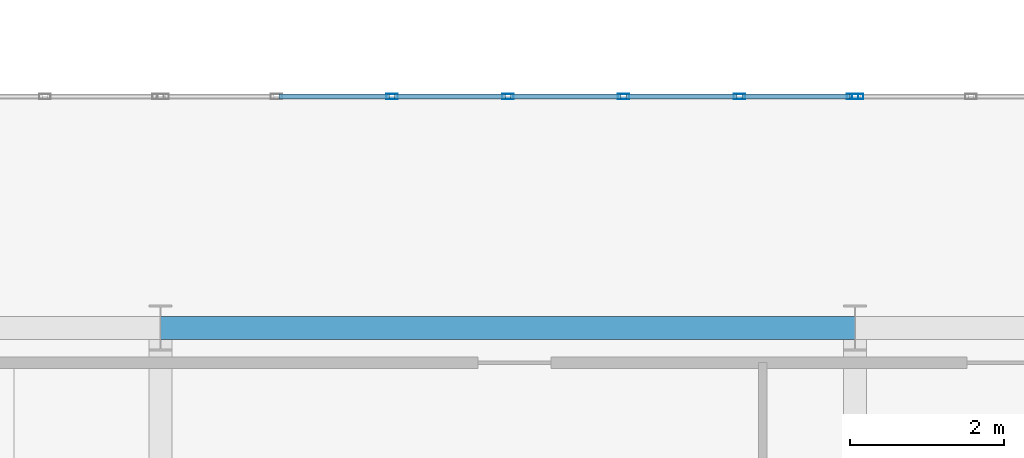
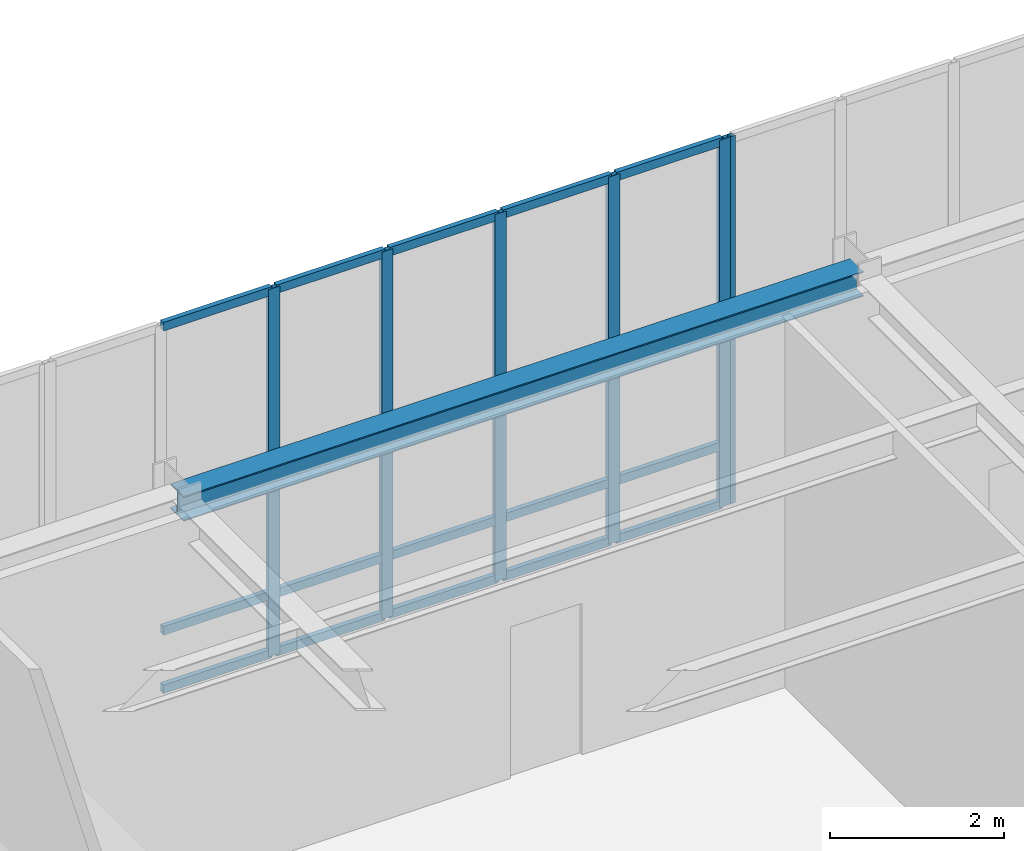
# One storey, part 20 of 77: 21 members, 1 beam, 2 elements without a shape of their own.
"""IFC4 building model written with IfcOpenShell, lengths in metres."""

from ifc_helpers import new_model, si_unit, direction, frame, origin, origin_2d, place, context, subcontext, project, spatial, hollow_rectangle, i_section, extrude, material, material_profile, profile_set, type_object, element, aggregate, save


model = new_model("IFC4")

# Units and contexts
model_context = context("Model", 3, precision=1e-05, world=origin(), true_north=direction((0.0, 1.0)))
body_context = subcontext(model_context, "Body", "Model", "MODEL_VIEW")
ifc_project = project(units=[si_unit("LENGTHUNIT", "METRE"), si_unit("AREAUNIT", "SQUARE_METRE"), si_unit("VOLUMEUNIT", "CUBIC_METRE"), si_unit("PLANEANGLEUNIT", "RADIAN"), si_unit("MASSUNIT", "GRAM", prefix="KILO")], contexts=[model_context])

# Site, building, storey
site_placement = place(None, origin())
site = spatial("IfcSite", under=ifc_project, at=site_placement, CompositionType="ELEMENT")
building_placement = place(site_placement, origin())
building = spatial("IfcBuilding", under=site, at=building_placement, Name="Lykobir Media Centre", CompositionType="ELEMENT")
storey_placement = place(building_placement, origin())
storey = spatial("IfcBuildingStorey", under=building, at=storey_placement, Name="L00", CompositionType="ELEMENT", Elevation=0.0)

# Curtain wall, members
ifc_material_1 = material(Name="Anodized Aluminium AW-6060", Category="aluminium")
curtain_wall_type = type_object("IfcCurtainWallType", Name="CW-COURT-A", PredefinedType="NOTDEFINED", material=ifc_material_1)
curtain_wall_1_placement = place(storey_placement, origin())
curtain_wall_1 = element("IfcCurtainWall", 1, at=curtain_wall_1_placement, inside=storey, type_object=curtain_wall_type, Name="Curtain wall CW2-L00-0012", PredefinedType="NOTDEFINED")
ifc_material_profile_1 = material_profile(ifc_material_1, hollow_rectangle(XDim=0.06494140625, YDim=0.14990234375, WallThickness=0.00341796875, at=origin_2d()), Name="ALU MULLION 65x150")
ifc_profile_set_1 = profile_set([ifc_material_profile_1], Name="Anodized Aluminium AW-6060")
member_type_1 = type_object("IfcMemberType", Name="CWM-150", PredefinedType="MULLION", material=ifc_profile_set_1)
member_1_placement = place(storey_placement, frame((57.0, 21.0, 0.0), z_axis=(0.0, 0.0, 1.0), x_axis=(0.0, 1.0, 0.0)))
member_1 = element("IfcMember", 2, at=member_1_placement, type_object=member_type_1, Name="CW2-L00-0012 mullion 3", PredefinedType="MULLION", context=body_context, shape_type="SweptSolid", body=[
    extrude(hollow_rectangle(XDim=0.06494140625, YDim=0.14990234375, WallThickness=0.00341796875, at=origin_2d()), origin(), (0.0, 0.0, 1.0), 5.139892578125),
])
member_2_placement = place(storey_placement, frame((58.5, 21.0, 0.0), z_axis=(0.0, 0.0, 1.0), x_axis=(0.0, 1.0, 0.0)))
member_2 = element("IfcMember", 3, at=member_2_placement, type_object=member_type_1, Name="CW2-L00-0012 mullion 4", PredefinedType="MULLION", context=body_context, shape_type="SweptSolid", body=[
    extrude(hollow_rectangle(XDim=0.06494140625, YDim=0.14990234375, WallThickness=0.00341796875, at=origin_2d()), origin(), (0.0, 0.0, 1.0), 5.139892578125),
])
member_3_placement = place(storey_placement, frame((60.0, 21.0, 0.0), z_axis=(0.0, 0.0, 1.0), x_axis=(0.0, 1.0, 0.0)))
member_3 = element("IfcMember", 4, at=member_3_placement, type_object=member_type_1, Name="CW2-L00-0012 mullion 5", PredefinedType="MULLION", context=body_context, shape_type="SweptSolid", body=[
    extrude(hollow_rectangle(XDim=0.06494140625, YDim=0.14990234375, WallThickness=0.00341796875, at=origin_2d()), origin(), (0.0, 0.0, 1.0), 5.139892578125),
])
member_4_placement = place(storey_placement, frame((61.5, 21.0, 0.0), z_axis=(0.0, 0.0, 1.0), x_axis=(0.0, 1.0, 0.0)))
member_4 = element("IfcMember", 5, at=member_4_placement, type_object=member_type_1, Name="CW2-L00-0012 mullion 6", PredefinedType="MULLION", context=body_context, shape_type="SweptSolid", body=[
    extrude(hollow_rectangle(XDim=0.06494140625, YDim=0.14990234375, WallThickness=0.00341796875, at=origin_2d()), origin(), (0.0, 0.0, 1.0), 5.139892578125),
])
member_5_placement = place(storey_placement, frame((62.967529296875, 21.0, 0.0), z_axis=(0.0, 0.0, 1.0), x_axis=(0.0, 1.0, 0.0)))
member_5 = element("IfcMember", 6, at=member_5_placement, type_object=member_type_1, Name="CW2-L00-0012 mullion 7", PredefinedType="MULLION", context=body_context, shape_type="SweptSolid", body=[
    extrude(hollow_rectangle(XDim=0.06494140625, YDim=0.14990234375, WallThickness=0.00341796875, at=origin_2d()), origin(), (0.0, 0.0, 1.0), 5.139892578125),
])

# Curtain wall, member
curtain_wall_2_placement = place(storey_placement, origin())
curtain_wall_2 = element("IfcCurtainWall", 7, at=curtain_wall_2_placement, inside=storey, type_object=curtain_wall_type, Name="Curtain wall CW2-L00-0013", PredefinedType="NOTDEFINED")
member_6_placement = place(storey_placement, frame((63.032470703125, 21.0, 0.0), z_axis=(0.0, 0.0, 1.0), x_axis=(0.0, 1.0, 0.0)))
member_6 = element("IfcMember", 8, at=member_6_placement, type_object=member_type_1, Name="CW2-L00-0013 mullion 1", PredefinedType="MULLION", context=body_context, shape_type="SweptSolid", body=[
    extrude(hollow_rectangle(XDim=0.06494140625, YDim=0.14990234375, WallThickness=0.00341796875, at=origin_2d()), origin(), (0.0, 0.0, 1.0), 5.139892578125),
])
aggregate(curtain_wall_2, [member_6])

# Member
ifc_material_profile_2 = material_profile(ifc_material_1, hollow_rectangle(XDim=0.06494140625, YDim=0.1201171875, WallThickness=0.0029296875, at=origin_2d()), Name="ALU TRANSOM 65x120")
ifc_profile_set_2 = profile_set([ifc_material_profile_2], Name="Anodized Aluminium AW-6060")
member_type_2 = type_object("IfcMemberType", Name="CWT-120", PredefinedType="USERDEFINED", material=ifc_profile_set_2)
member_7_placement = place(storey_placement, frame((55.532470703125, 21.0, 0.032470703125), z_axis=(1.0, 0.0, 0.0), x_axis=(0.0, 1.0, 0.0)))
member_7 = element("IfcMember", 9, at=member_7_placement, type_object=member_type_2, Name="CW2-L00-0012 transom 2.1", ObjectType="TRANSOM", PredefinedType="USERDEFINED", context=body_context, shape_type="SweptSolid", body=[
    extrude(hollow_rectangle(XDim=0.06494140625, YDim=0.1201171875, WallThickness=0.0029296875, at=origin_2d()), origin(), (0.0, 0.0, 1.0), 1.43505859375),
])

member_8_placement = place(storey_placement, frame((55.532470703125, 21.0, 0.85009765625), z_axis=(1.0, 0.0, 0.0), x_axis=(0.0, 1.0, 0.0)))
member_8 = element("IfcMember", 10, at=member_8_placement, type_object=member_type_2, Name="CW2-L00-0012 transom 2.2", ObjectType="TRANSOM", PredefinedType="USERDEFINED", context=body_context, shape_type="SweptSolid", body=[
    extrude(hollow_rectangle(XDim=0.06494140625, YDim=0.1201171875, WallThickness=0.0029296875, at=origin_2d()), origin(), (0.0, 0.0, 1.0), 1.43505859375),
])

member_9_placement = place(storey_placement, frame((55.532470703125, 21.0, 5.107421875), z_axis=(1.0, 0.0, 0.0), x_axis=(0.0, 1.0, 0.0)))
member_9 = element("IfcMember", 11, at=member_9_placement, type_object=member_type_2, Name="CW2-L00-0012 transom 2.3", ObjectType="TRANSOM", PredefinedType="USERDEFINED", context=body_context, shape_type="SweptSolid", body=[
    extrude(hollow_rectangle(XDim=0.06494140625, YDim=0.1201171875, WallThickness=0.0029296875, at=origin_2d()), origin(), (0.0, 0.0, 1.0), 1.43505859375),
])

member_10_placement = place(storey_placement, frame((57.032470703125, 21.0, 0.032470703125), z_axis=(1.0, 0.0, 0.0), x_axis=(0.0, 1.0, 0.0)))
member_10 = element("IfcMember", 12, at=member_10_placement, type_object=member_type_2, Name="CW2-L00-0012 transom 3.1", ObjectType="TRANSOM", PredefinedType="USERDEFINED", context=body_context, shape_type="SweptSolid", body=[
    extrude(hollow_rectangle(XDim=0.06494140625, YDim=0.1201171875, WallThickness=0.0029296875, at=origin_2d()), origin(), (0.0, 0.0, 1.0), 1.43505859375),
])

member_11_placement = place(storey_placement, frame((57.032470703125, 21.0, 0.85009765625), z_axis=(1.0, 0.0, 0.0), x_axis=(0.0, 1.0, 0.0)))
member_11 = element("IfcMember", 13, at=member_11_placement, type_object=member_type_2, Name="CW2-L00-0012 transom 3.2", ObjectType="TRANSOM", PredefinedType="USERDEFINED", context=body_context, shape_type="SweptSolid", body=[
    extrude(hollow_rectangle(XDim=0.06494140625, YDim=0.1201171875, WallThickness=0.0029296875, at=origin_2d()), origin(), (0.0, 0.0, 1.0), 1.43505859375),
])

member_12_placement = place(storey_placement, frame((57.032470703125, 21.0, 5.107421875), z_axis=(1.0, 0.0, 0.0), x_axis=(0.0, 1.0, 0.0)))
member_12 = element("IfcMember", 14, at=member_12_placement, type_object=member_type_2, Name="CW2-L00-0012 transom 3.3", ObjectType="TRANSOM", PredefinedType="USERDEFINED", context=body_context, shape_type="SweptSolid", body=[
    extrude(hollow_rectangle(XDim=0.06494140625, YDim=0.1201171875, WallThickness=0.0029296875, at=origin_2d()), origin(), (0.0, 0.0, 1.0), 1.43505859375),
])

member_13_placement = place(storey_placement, frame((58.532470703125, 21.0, 0.032470703125), z_axis=(1.0, 0.0, 0.0), x_axis=(0.0, 1.0, 0.0)))
member_13 = element("IfcMember", 15, at=member_13_placement, type_object=member_type_2, Name="CW2-L00-0012 transom 4.1", ObjectType="TRANSOM", PredefinedType="USERDEFINED", context=body_context, shape_type="SweptSolid", body=[
    extrude(hollow_rectangle(XDim=0.06494140625, YDim=0.1201171875, WallThickness=0.0029296875, at=origin_2d()), origin(), (0.0, 0.0, 1.0), 1.43505859375),
])

member_14_placement = place(storey_placement, frame((58.532470703125, 21.0, 0.85009765625), z_axis=(1.0, 0.0, 0.0), x_axis=(0.0, 1.0, 0.0)))
member_14 = element("IfcMember", 16, at=member_14_placement, type_object=member_type_2, Name="CW2-L00-0012 transom 4.2", ObjectType="TRANSOM", PredefinedType="USERDEFINED", context=body_context, shape_type="SweptSolid", body=[
    extrude(hollow_rectangle(XDim=0.06494140625, YDim=0.1201171875, WallThickness=0.0029296875, at=origin_2d()), origin(), (0.0, 0.0, 1.0), 1.43505859375),
])

member_15_placement = place(storey_placement, frame((58.532470703125, 21.0, 5.107421875), z_axis=(1.0, 0.0, 0.0), x_axis=(0.0, 1.0, 0.0)))
member_15 = element("IfcMember", 17, at=member_15_placement, type_object=member_type_2, Name="CW2-L00-0012 transom 4.3", ObjectType="TRANSOM", PredefinedType="USERDEFINED", context=body_context, shape_type="SweptSolid", body=[
    extrude(hollow_rectangle(XDim=0.06494140625, YDim=0.1201171875, WallThickness=0.0029296875, at=origin_2d()), origin(), (0.0, 0.0, 1.0), 1.43505859375),
])

member_16_placement = place(storey_placement, frame((60.032470703125, 21.0, 0.032470703125), z_axis=(1.0, 0.0, 0.0), x_axis=(0.0, 1.0, 0.0)))
member_16 = element("IfcMember", 18, at=member_16_placement, type_object=member_type_2, Name="CW2-L00-0012 transom 5.1", ObjectType="TRANSOM", PredefinedType="USERDEFINED", context=body_context, shape_type="SweptSolid", body=[
    extrude(hollow_rectangle(XDim=0.06494140625, YDim=0.1201171875, WallThickness=0.0029296875, at=origin_2d()), origin(), (0.0, 0.0, 1.0), 1.43505859375),
])

member_17_placement = place(storey_placement, frame((60.032470703125, 21.0, 0.85009765625), z_axis=(1.0, 0.0, 0.0), x_axis=(0.0, 1.0, 0.0)))
member_17 = element("IfcMember", 19, at=member_17_placement, type_object=member_type_2, Name="CW2-L00-0012 transom 5.2", ObjectType="TRANSOM", PredefinedType="USERDEFINED", context=body_context, shape_type="SweptSolid", body=[
    extrude(hollow_rectangle(XDim=0.06494140625, YDim=0.1201171875, WallThickness=0.0029296875, at=origin_2d()), origin(), (0.0, 0.0, 1.0), 1.43505859375),
])

member_18_placement = place(storey_placement, frame((60.032470703125, 21.0, 5.107421875), z_axis=(1.0, 0.0, 0.0), x_axis=(0.0, 1.0, 0.0)))
member_18 = element("IfcMember", 20, at=member_18_placement, type_object=member_type_2, Name="CW2-L00-0012 transom 5.3", ObjectType="TRANSOM", PredefinedType="USERDEFINED", context=body_context, shape_type="SweptSolid", body=[
    extrude(hollow_rectangle(XDim=0.06494140625, YDim=0.1201171875, WallThickness=0.0029296875, at=origin_2d()), origin(), (0.0, 0.0, 1.0), 1.43505859375),
])

member_19_placement = place(storey_placement, frame((61.532470703125, 21.0, 0.032470703125), z_axis=(1.0, 0.0, 0.0), x_axis=(0.0, 1.0, 0.0)))
member_19 = element("IfcMember", 21, at=member_19_placement, type_object=member_type_2, Name="CW2-L00-0012 transom 6.1", ObjectType="TRANSOM", PredefinedType="USERDEFINED", context=body_context, shape_type="SweptSolid", body=[
    extrude(hollow_rectangle(XDim=0.06494140625, YDim=0.1201171875, WallThickness=0.0029296875, at=origin_2d()), origin(), (0.0, 0.0, 1.0), 1.402587890625),
])

member_20_placement = place(storey_placement, frame((61.532470703125, 21.0, 0.85009765625), z_axis=(1.0, 0.0, 0.0), x_axis=(0.0, 1.0, 0.0)))
member_20 = element("IfcMember", 22, at=member_20_placement, type_object=member_type_2, Name="CW2-L00-0012 transom 6.2", ObjectType="TRANSOM", PredefinedType="USERDEFINED", context=body_context, shape_type="SweptSolid", body=[
    extrude(hollow_rectangle(XDim=0.06494140625, YDim=0.1201171875, WallThickness=0.0029296875, at=origin_2d()), origin(), (0.0, 0.0, 1.0), 1.402587890625),
])

member_21_placement = place(storey_placement, frame((61.532470703125, 21.0, 5.107421875), z_axis=(1.0, 0.0, 0.0), x_axis=(0.0, 1.0, 0.0)))
member_21 = element("IfcMember", 23, at=member_21_placement, type_object=member_type_2, Name="CW2-L00-0012 transom 6.3", ObjectType="TRANSOM", PredefinedType="USERDEFINED", context=body_context, shape_type="SweptSolid", body=[
    extrude(hollow_rectangle(XDim=0.06494140625, YDim=0.1201171875, WallThickness=0.0029296875, at=origin_2d()), origin(), (0.0, 0.0, 1.0), 1.402587890625),
])

aggregate(curtain_wall_1, [member_1, member_2, member_3, member_4, member_5, member_7, member_8, member_9, member_10, member_11, member_12, member_13, member_14, member_15, member_16, member_17, member_18, member_19, member_20, member_21])

# Beam
ifc_material_2 = material(Name="Steel S355", Category="steel")
ifc_material_profile_3 = material_profile(ifc_material_2, i_section(OverallWidth=0.300048828125, OverallDepth=0.35009765625, WebThickness=0.010009765625, FlangeThickness=0.017578125, at=origin_2d()), Name="HEA 360")
ifc_profile_set_3 = profile_set([ifc_material_profile_3], Name="Steel S355")
beam_type = type_object("IfcBeamType", Name="SP-HEA360", PredefinedType="SPANDREL", material=ifc_profile_set_3)
beam_placement = place(storey_placement, frame((54.0, 18.0, 4.985107421875), z_axis=(1.0, 0.0, 0.0), x_axis=(0.0, 1.0, 0.0)))
element("IfcBeam", 24, at=beam_placement, inside=storey, type_object=beam_type, Name="Beam BM-L00-0540-0180-0630-0180-499", PredefinedType="SPANDREL", context=body_context, shape_type="SweptSolid", body=[
    extrude(i_section(OverallWidth=0.300048828125, OverallDepth=0.35009765625, WebThickness=0.010009765625, FlangeThickness=0.017578125, at=origin_2d()), origin(), (0.0, 0.0, 1.0), 9.0),
])

save(model, "model.ifc")
